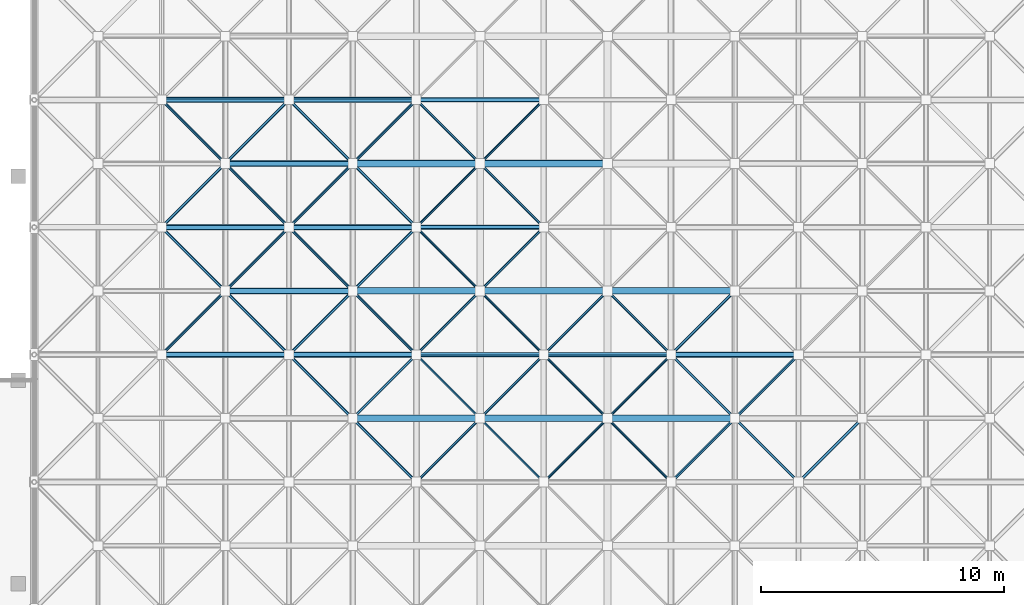
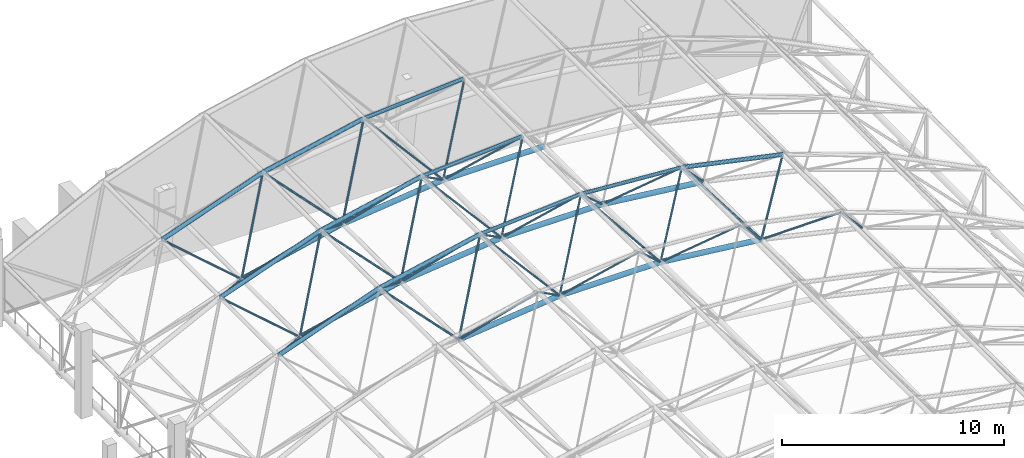
# One storey, part 19 of 100: 64 members.
"""IFC4 building model written with IfcOpenShell, lengths in metres."""

from ifc_helpers import new_model, si_unit, direction, frame, origin, origin_2d, place, context, subcontext, project, spatial, hollow_circle, extrude, material, material_profile, profile_set, type_object, element, save


model = new_model("IFC4")

# Units and contexts
model_context = context("Model", 3, precision=1e-05, world=origin(), true_north=direction((0.0, 1.0)))
body_context = subcontext(model_context, "Body", "Model", "MODEL_VIEW")
ifc_project = project(units=[si_unit("LENGTHUNIT", "METRE"), si_unit("AREAUNIT", "SQUARE_METRE"), si_unit("VOLUMEUNIT", "CUBIC_METRE"), si_unit("PLANEANGLEUNIT", "RADIAN"), si_unit("MASSUNIT", "GRAM", prefix="KILO")], contexts=[model_context])

# Site, building, storey
site_placement = place(None, origin())
site = spatial("IfcSite", under=ifc_project, at=site_placement, CompositionType="ELEMENT")
building_placement = place(site_placement, origin())
building = spatial("IfcBuilding", under=site, at=building_placement, Name="Kiln Court Media Centre", CompositionType="ELEMENT")
storey_placement = place(building_placement, frame((0.0, 0.0, 15.0)))
storey = spatial("IfcBuildingStorey", under=building, at=storey_placement, Name="L03", CompositionType="ELEMENT", Elevation=15.0)

# Members
ifc_material_1 = material(Name="Steel ASTM A500 Gr C", Category="steel")
ifc_material_profile_1 = material_profile(ifc_material_1, hollow_circle(Radius=0.05078125, WallThickness=0.0048828125, at=origin_2d()), Name="CHS 101.6x5.0")
ifc_profile_set_1 = profile_set([ifc_material_profile_1], Name="Steel ASTM A500 Gr C")
member_type_1 = type_object("IfcMemberType", Name="Steel ASTM A500 Gr C CHS 101.6x5.0 space frame brace", PredefinedType="BRACE", material=ifc_profile_set_1)
member_1_placement = place(storey_placement, frame((77.175048828125, 48.824951171875, 5.926513671875), z_axis=(-0.571963592053, -0.571963592053, 0.587975593653), x_axis=(0.707106781187, -0.707106781187, 0.0)))
element("IfcMember", 1, at=member_1_placement, inside=storey, type_object=member_type_1, Name="V1 roof diagonal 4-5 space frame brace", PredefinedType="BRACE", context=body_context, shape_type="SweptSolid", body=[
    extrude(hollow_circle(Radius=0.05078125, WallThickness=0.0048828125, at=origin_2d()), origin(), (0.0, 0.0, 1.0), 4.58935546875),
])
member_2_placement = place(storey_placement, frame((77.175048828125, 48.824951171875, 5.926513671875), z_axis=(0.544662450541, -0.544662450541, 0.637719083878), x_axis=(0.707106781187, 0.707106781187, 0.0)))
element("IfcMember", 2, at=member_2_placement, inside=storey, type_object=member_type_1, Name="V1 roof diagonal 4-5 space frame brace", PredefinedType="BRACE", context=body_context, shape_type="SweptSolid", body=[
    extrude(hollow_circle(Radius=0.05078125, WallThickness=0.0048828125, at=origin_2d()), origin(), (0.0, 0.0, 1.0), 4.819580078125),
])
member_3_placement = place(storey_placement, frame((77.175048828125, 48.824951171875, 5.926513671875), z_axis=(-0.571963592053, 0.571963592053, 0.587975593653), x_axis=(-0.707106781187, -0.707106781187, 0.0)))
element("IfcMember", 3, at=member_3_placement, inside=storey, type_object=member_type_1, Name="V1 roof diagonal 4-5 space frame brace", PredefinedType="BRACE", context=body_context, shape_type="SweptSolid", body=[
    extrude(hollow_circle(Radius=0.05078125, WallThickness=0.0048828125, at=origin_2d()), origin(), (0.0, 0.0, 1.0), 4.58935546875),
])
member_4_placement = place(storey_placement, frame((77.175048828125, 48.824951171875, 5.926513671875), z_axis=(0.544662450541, 0.544662450541, 0.637719083878), x_axis=(-0.707106781187, 0.707106781187, 0.0)))
element("IfcMember", 4, at=member_4_placement, inside=storey, type_object=member_type_1, Name="V1 roof diagonal 4-5 space frame brace", PredefinedType="BRACE", context=body_context, shape_type="SweptSolid", body=[
    extrude(hollow_circle(Radius=0.05078125, WallThickness=0.0048828125, at=origin_2d()), origin(), (0.0, 0.0, 1.0), 4.819580078125),
])
member_5_placement = place(storey_placement, frame((77.175048828125, 54.074951171875, 5.926513671875), z_axis=(-0.571963592053, -0.571963592053, 0.587975593653), x_axis=(0.707106781187, -0.707106781187, 0.0)))
element("IfcMember", 5, at=member_5_placement, inside=storey, type_object=member_type_1, Name="V1 roof diagonal 4-6 space frame brace", PredefinedType="BRACE", context=body_context, shape_type="SweptSolid", body=[
    extrude(hollow_circle(Radius=0.05078125, WallThickness=0.0048828125, at=origin_2d()), origin(), (0.0, 0.0, 1.0), 4.58935546875),
])
member_6_placement = place(storey_placement, frame((77.175048828125, 54.074951171875, 5.926513671875), z_axis=(0.544662450541, -0.544662450541, 0.637719083878), x_axis=(0.707106781187, 0.707106781187, 0.0)))
element("IfcMember", 6, at=member_6_placement, inside=storey, type_object=member_type_1, Name="V1 roof diagonal 4-6 space frame brace", PredefinedType="BRACE", context=body_context, shape_type="SweptSolid", body=[
    extrude(hollow_circle(Radius=0.05078125, WallThickness=0.0048828125, at=origin_2d()), origin(), (0.0, 0.0, 1.0), 4.819580078125),
])
member_7_placement = place(storey_placement, frame((77.175048828125, 54.074951171875, 5.926513671875), z_axis=(-0.571963592053, 0.571963592053, 0.587975593653), x_axis=(-0.707106781187, -0.707106781187, 0.0)))
element("IfcMember", 7, at=member_7_placement, inside=storey, type_object=member_type_1, Name="V1 roof diagonal 4-6 space frame brace", PredefinedType="BRACE", context=body_context, shape_type="SweptSolid", body=[
    extrude(hollow_circle(Radius=0.05078125, WallThickness=0.0048828125, at=origin_2d()), origin(), (0.0, 0.0, 1.0), 4.58935546875),
])
member_8_placement = place(storey_placement, frame((77.175048828125, 54.074951171875, 5.926513671875), z_axis=(0.544662450541, 0.544662450541, 0.637719083878), x_axis=(-0.707106781187, 0.707106781187, 0.0)))
element("IfcMember", 8, at=member_8_placement, inside=storey, type_object=member_type_1, Name="V1 roof diagonal 4-6 space frame brace", PredefinedType="BRACE", context=body_context, shape_type="SweptSolid", body=[
    extrude(hollow_circle(Radius=0.05078125, WallThickness=0.0048828125, at=origin_2d()), origin(), (0.0, 0.0, 1.0), 4.819580078125),
])
member_9_placement = place(storey_placement, frame((77.175048828125, 59.324951171875, 5.926513671875), z_axis=(-0.571963592053, -0.571963592053, 0.587975593653), x_axis=(0.707106781187, -0.707106781187, 0.0)))
element("IfcMember", 9, at=member_9_placement, inside=storey, type_object=member_type_1, Name="V1 roof diagonal 4-7 space frame brace", PredefinedType="BRACE", context=body_context, shape_type="SweptSolid", body=[
    extrude(hollow_circle(Radius=0.05078125, WallThickness=0.0048828125, at=origin_2d()), origin(), (0.0, 0.0, 1.0), 4.58935546875),
])
member_10_placement = place(storey_placement, frame((77.175048828125, 59.324951171875, 5.926513671875), z_axis=(0.544662450541, -0.544662450541, 0.637719083878), x_axis=(0.707106781187, 0.707106781187, 0.0)))
element("IfcMember", 10, at=member_10_placement, inside=storey, type_object=member_type_1, Name="V1 roof diagonal 4-7 space frame brace", PredefinedType="BRACE", context=body_context, shape_type="SweptSolid", body=[
    extrude(hollow_circle(Radius=0.05078125, WallThickness=0.0048828125, at=origin_2d()), origin(), (0.0, 0.0, 1.0), 4.819580078125),
])
member_11_placement = place(storey_placement, frame((77.175048828125, 59.324951171875, 5.926513671875), z_axis=(-0.571963592053, 0.571963592053, 0.587975593653), x_axis=(-0.707106781187, -0.707106781187, 0.0)))
element("IfcMember", 11, at=member_11_placement, inside=storey, type_object=member_type_1, Name="V1 roof diagonal 4-7 space frame brace", PredefinedType="BRACE", context=body_context, shape_type="SweptSolid", body=[
    extrude(hollow_circle(Radius=0.05078125, WallThickness=0.0048828125, at=origin_2d()), origin(), (0.0, 0.0, 1.0), 4.58935546875),
])
for number, where, z_axis, x_axis, name in (
    (12, (77.175048828125, 59.324951171875, 5.926513671875), (0.544662450541, 0.544662450541, 0.637719083878), (-0.707106781187, 0.707106781187, 0.0), "V1 roof diagonal 4-7 space frame brace"),
    (13, (82.425048828125, 48.824951171875, 5.926513671875), (-0.544662450541, -0.544662450541, 0.637719083878), (0.707106781187, -0.707106781187, 0.0), "V1 roof diagonal 5-5 space frame brace"),
):
    element("IfcMember", number, at=place(storey_placement, frame(where, z_axis=z_axis, x_axis=x_axis)), inside=storey, type_object=member_type_1, Name=name, PredefinedType="BRACE", context=body_context, shape_type="SweptSolid", body=[
        extrude(hollow_circle(Radius=0.05078125, WallThickness=0.0048828125, at=origin_2d()), origin(), (0.0, 0.0, 1.0), 4.819580078125),
    ])
member_12_placement = place(storey_placement, frame((82.425048828125, 48.824951171875, 5.926513671875), z_axis=(0.571963592053, -0.571963592053, 0.587975593653), x_axis=(0.707106781187, 0.707106781187, 0.0)))
element("IfcMember", 14, at=member_12_placement, inside=storey, type_object=member_type_1, Name="V1 roof diagonal 5-5 space frame brace", PredefinedType="BRACE", context=body_context, shape_type="SweptSolid", body=[
    extrude(hollow_circle(Radius=0.05078125, WallThickness=0.0048828125, at=origin_2d()), origin(), (0.0, 0.0, 1.0), 4.58935546875),
])
member_13_placement = place(storey_placement, frame((82.425048828125, 48.824951171875, 5.926513671875), z_axis=(-0.544662450541, 0.544662450541, 0.637719083878), x_axis=(-0.707106781187, -0.707106781187, 0.0)))
element("IfcMember", 15, at=member_13_placement, inside=storey, type_object=member_type_1, Name="V1 roof diagonal 5-5 space frame brace", PredefinedType="BRACE", context=body_context, shape_type="SweptSolid", body=[
    extrude(hollow_circle(Radius=0.05078125, WallThickness=0.0048828125, at=origin_2d()), origin(), (0.0, 0.0, 1.0), 4.819580078125),
])
member_14_placement = place(storey_placement, frame((82.425048828125, 48.824951171875, 5.926513671875), z_axis=(0.571963592053, 0.571963592053, 0.587975593653), x_axis=(-0.707106781187, 0.707106781187, 0.0)))
element("IfcMember", 16, at=member_14_placement, inside=storey, type_object=member_type_1, Name="V1 roof diagonal 5-5 space frame brace", PredefinedType="BRACE", context=body_context, shape_type="SweptSolid", body=[
    extrude(hollow_circle(Radius=0.05078125, WallThickness=0.0048828125, at=origin_2d()), origin(), (0.0, 0.0, 1.0), 4.58935546875),
])
member_15_placement = place(storey_placement, frame((82.425048828125, 54.074951171875, 5.926513671875), z_axis=(-0.544662450541, -0.544662450541, 0.637719083878), x_axis=(0.707106781187, -0.707106781187, 0.0)))
element("IfcMember", 17, at=member_15_placement, inside=storey, type_object=member_type_1, Name="V1 roof diagonal 5-6 space frame brace", PredefinedType="BRACE", context=body_context, shape_type="SweptSolid", body=[
    extrude(hollow_circle(Radius=0.05078125, WallThickness=0.0048828125, at=origin_2d()), origin(), (0.0, 0.0, 1.0), 4.819580078125),
])
member_16_placement = place(storey_placement, frame((82.425048828125, 54.074951171875, 5.926513671875), z_axis=(0.571963592053, -0.571963592053, 0.587975593653), x_axis=(0.707106781187, 0.707106781187, 0.0)))
element("IfcMember", 18, at=member_16_placement, inside=storey, type_object=member_type_1, Name="V1 roof diagonal 5-6 space frame brace", PredefinedType="BRACE", context=body_context, shape_type="SweptSolid", body=[
    extrude(hollow_circle(Radius=0.05078125, WallThickness=0.0048828125, at=origin_2d()), origin(), (0.0, 0.0, 1.0), 4.58935546875),
])
ifc_material_2 = material(Name="Steel ASTM A500 Gr C", Category="steel")
ifc_material_profile_2 = material_profile(ifc_material_2, hollow_circle(Radius=0.05712890625, WallThickness=0.0048828125, at=origin_2d()), Name="CHS 114.3x5.0")
ifc_profile_set_2 = profile_set([ifc_material_profile_2], Name="Steel ASTM A500 Gr C")
member_type_2 = type_object("IfcMemberType", Name="Steel ASTM A500 Gr C CHS 114.3x5.0 space frame brace", PredefinedType="BRACE", material=ifc_profile_set_2)
member_17_placement = place(storey_placement, frame((66.675048828125, 54.074951171875, 4.133544921875), z_axis=(-0.656133377529, -0.656133377529, 0.37279750775), x_axis=(0.707106781187, -0.707106781187, 0.0)))
element("IfcMember", 19, at=member_17_placement, inside=storey, type_object=member_type_2, Name="V1 roof diagonal 2-6 space frame brace", PredefinedType="BRACE", context=body_context, shape_type="SweptSolid", body=[
    extrude(hollow_circle(Radius=0.05712890625, WallThickness=0.0048828125, at=origin_2d()), origin(), (0.0, 0.0, 1.0), 4.000732421875),
])
member_18_placement = place(storey_placement, frame((66.675048828125, 54.074951171875, 4.133544921875), z_axis=(0.523804264708, -0.523804264708, 0.671757534046), x_axis=(0.707106781187, 0.707106781187, 0.0)))
element("IfcMember", 20, at=member_18_placement, inside=storey, type_object=member_type_2, Name="V1 roof diagonal 2-6 space frame brace", PredefinedType="BRACE", context=body_context, shape_type="SweptSolid", body=[
    extrude(hollow_circle(Radius=0.05712890625, WallThickness=0.0048828125, at=origin_2d()), origin(), (0.0, 0.0, 1.0), 5.011474609375),
])
member_19_placement = place(storey_placement, frame((66.675048828125, 54.074951171875, 4.133544921875), z_axis=(-0.656133377529, 0.656133377529, 0.37279750775), x_axis=(-0.707106781187, -0.707106781187, 0.0)))
element("IfcMember", 21, at=member_19_placement, inside=storey, type_object=member_type_2, Name="V1 roof diagonal 2-6 space frame brace", PredefinedType="BRACE", context=body_context, shape_type="SweptSolid", body=[
    extrude(hollow_circle(Radius=0.05712890625, WallThickness=0.0048828125, at=origin_2d()), origin(), (0.0, 0.0, 1.0), 4.000732421875),
])
member_20_placement = place(storey_placement, frame((66.675048828125, 54.074951171875, 4.133544921875), z_axis=(0.523804264708, 0.523804264708, 0.671757534046), x_axis=(-0.707106781187, 0.707106781187, 0.0)))
element("IfcMember", 22, at=member_20_placement, inside=storey, type_object=member_type_2, Name="V1 roof diagonal 2-6 space frame brace", PredefinedType="BRACE", context=body_context, shape_type="SweptSolid", body=[
    extrude(hollow_circle(Radius=0.05712890625, WallThickness=0.0048828125, at=origin_2d()), origin(), (0.0, 0.0, 1.0), 5.011474609375),
])
member_21_placement = place(storey_placement, frame((66.675048828125, 59.324951171875, 4.133544921875), z_axis=(-0.656133377529, -0.656133377529, 0.37279750775), x_axis=(0.707106781187, -0.707106781187, 0.0)))
element("IfcMember", 23, at=member_21_placement, inside=storey, type_object=member_type_2, Name="V1 roof diagonal 2-7 space frame brace", PredefinedType="BRACE", context=body_context, shape_type="SweptSolid", body=[
    extrude(hollow_circle(Radius=0.05712890625, WallThickness=0.0048828125, at=origin_2d()), origin(), (0.0, 0.0, 1.0), 4.000732421875),
])
member_22_placement = place(storey_placement, frame((66.675048828125, 59.324951171875, 4.133544921875), z_axis=(0.523804264708, -0.523804264708, 0.671757534046), x_axis=(0.707106781187, 0.707106781187, 0.0)))
element("IfcMember", 24, at=member_22_placement, inside=storey, type_object=member_type_2, Name="V1 roof diagonal 2-7 space frame brace", PredefinedType="BRACE", context=body_context, shape_type="SweptSolid", body=[
    extrude(hollow_circle(Radius=0.05712890625, WallThickness=0.0048828125, at=origin_2d()), origin(), (0.0, 0.0, 1.0), 5.011474609375),
])
member_23_placement = place(storey_placement, frame((66.675048828125, 59.324951171875, 4.133544921875), z_axis=(-0.656133377529, 0.656133377529, 0.37279750775), x_axis=(-0.707106781187, -0.707106781187, 0.0)))
element("IfcMember", 25, at=member_23_placement, inside=storey, type_object=member_type_2, Name="V1 roof diagonal 2-7 space frame brace", PredefinedType="BRACE", context=body_context, shape_type="SweptSolid", body=[
    extrude(hollow_circle(Radius=0.05712890625, WallThickness=0.0048828125, at=origin_2d()), origin(), (0.0, 0.0, 1.0), 4.000732421875),
])
member_24_placement = place(storey_placement, frame((66.675048828125, 59.324951171875, 4.133544921875), z_axis=(0.523804264708, 0.523804264708, 0.671757534046), x_axis=(-0.707106781187, 0.707106781187, 0.0)))
element("IfcMember", 26, at=member_24_placement, inside=storey, type_object=member_type_2, Name="V1 roof diagonal 2-7 space frame brace", PredefinedType="BRACE", context=body_context, shape_type="SweptSolid", body=[
    extrude(hollow_circle(Radius=0.05712890625, WallThickness=0.0048828125, at=origin_2d()), origin(), (0.0, 0.0, 1.0), 5.011474609375),
])
member_25_placement = place(storey_placement, frame((71.925048828125, 48.824951171875, 5.333984375), z_axis=(0.529121679325, -0.529121679325, 0.663370557785), x_axis=(0.707106781187, 0.707106781187, 0.0)))
element("IfcMember", 27, at=member_25_placement, inside=storey, type_object=member_type_2, Name="V1 roof diagonal 3-5 space frame brace", PredefinedType="BRACE", context=body_context, shape_type="SweptSolid", body=[
    extrude(hollow_circle(Radius=0.05712890625, WallThickness=0.0048828125, at=origin_2d()), origin(), (0.0, 0.0, 1.0), 4.9609375),
])
member_26_placement = place(storey_placement, frame((71.925048828125, 48.824951171875, 5.333984375), z_axis=(-0.61074803366, 0.61074803366, 0.503958012894), x_axis=(-0.707106781187, -0.707106781187, 0.0)))
element("IfcMember", 28, at=member_26_placement, inside=storey, type_object=member_type_2, Name="V1 roof diagonal 3-5 space frame brace", PredefinedType="BRACE", context=body_context, shape_type="SweptSolid", body=[
    extrude(hollow_circle(Radius=0.05712890625, WallThickness=0.0048828125, at=origin_2d()), origin(), (0.0, 0.0, 1.0), 4.298095703125),
])
member_27_placement = place(storey_placement, frame((71.925048828125, 48.824951171875, 5.333984375), z_axis=(0.529121679325, 0.529121679325, 0.663370557785), x_axis=(-0.707106781187, 0.707106781187, 0.0)))
element("IfcMember", 29, at=member_27_placement, inside=storey, type_object=member_type_2, Name="V1 roof diagonal 3-5 space frame brace", PredefinedType="BRACE", context=body_context, shape_type="SweptSolid", body=[
    extrude(hollow_circle(Radius=0.05712890625, WallThickness=0.0048828125, at=origin_2d()), origin(), (0.0, 0.0, 1.0), 4.9609375),
])
member_28_placement = place(storey_placement, frame((71.925048828125, 54.074951171875, 5.333984375), z_axis=(-0.61074803366, -0.61074803366, 0.503958012894), x_axis=(0.707106781187, -0.707106781187, 0.0)))
element("IfcMember", 30, at=member_28_placement, inside=storey, type_object=member_type_2, Name="V1 roof diagonal 3-6 space frame brace", PredefinedType="BRACE", context=body_context, shape_type="SweptSolid", body=[
    extrude(hollow_circle(Radius=0.05712890625, WallThickness=0.0048828125, at=origin_2d()), origin(), (0.0, 0.0, 1.0), 4.298095703125),
])
member_29_placement = place(storey_placement, frame((71.925048828125, 54.074951171875, 5.333984375), z_axis=(0.529121679325, -0.529121679325, 0.663370557785), x_axis=(0.707106781187, 0.707106781187, 0.0)))
element("IfcMember", 31, at=member_29_placement, inside=storey, type_object=member_type_2, Name="V1 roof diagonal 3-6 space frame brace", PredefinedType="BRACE", context=body_context, shape_type="SweptSolid", body=[
    extrude(hollow_circle(Radius=0.05712890625, WallThickness=0.0048828125, at=origin_2d()), origin(), (0.0, 0.0, 1.0), 4.9609375),
])
member_30_placement = place(storey_placement, frame((71.925048828125, 54.074951171875, 5.333984375), z_axis=(-0.61074803366, 0.61074803366, 0.503958012894), x_axis=(-0.707106781187, -0.707106781187, 0.0)))
element("IfcMember", 32, at=member_30_placement, inside=storey, type_object=member_type_2, Name="V1 roof diagonal 3-6 space frame brace", PredefinedType="BRACE", context=body_context, shape_type="SweptSolid", body=[
    extrude(hollow_circle(Radius=0.05712890625, WallThickness=0.0048828125, at=origin_2d()), origin(), (0.0, 0.0, 1.0), 4.298095703125),
])
member_31_placement = place(storey_placement, frame((71.925048828125, 54.074951171875, 5.333984375), z_axis=(0.529121679325, 0.529121679325, 0.663370557785), x_axis=(-0.707106781187, 0.707106781187, 0.0)))
element("IfcMember", 33, at=member_31_placement, inside=storey, type_object=member_type_2, Name="V1 roof diagonal 3-6 space frame brace", PredefinedType="BRACE", context=body_context, shape_type="SweptSolid", body=[
    extrude(hollow_circle(Radius=0.05712890625, WallThickness=0.0048828125, at=origin_2d()), origin(), (0.0, 0.0, 1.0), 4.9609375),
])
member_32_placement = place(storey_placement, frame((71.925048828125, 59.324951171875, 5.333984375), z_axis=(-0.61074803366, -0.61074803366, 0.503958012894), x_axis=(0.707106781187, -0.707106781187, 0.0)))
element("IfcMember", 34, at=member_32_placement, inside=storey, type_object=member_type_2, Name="V1 roof diagonal 3-7 space frame brace", PredefinedType="BRACE", context=body_context, shape_type="SweptSolid", body=[
    extrude(hollow_circle(Radius=0.05712890625, WallThickness=0.0048828125, at=origin_2d()), origin(), (0.0, 0.0, 1.0), 4.298095703125),
])
member_33_placement = place(storey_placement, frame((71.925048828125, 59.324951171875, 5.333984375), z_axis=(0.529121679325, -0.529121679325, 0.663370557785), x_axis=(0.707106781187, 0.707106781187, 0.0)))
element("IfcMember", 35, at=member_33_placement, inside=storey, type_object=member_type_2, Name="V1 roof diagonal 3-7 space frame brace", PredefinedType="BRACE", context=body_context, shape_type="SweptSolid", body=[
    extrude(hollow_circle(Radius=0.05712890625, WallThickness=0.0048828125, at=origin_2d()), origin(), (0.0, 0.0, 1.0), 4.9609375),
])
member_34_placement = place(storey_placement, frame((71.925048828125, 59.324951171875, 5.333984375), z_axis=(-0.61074803366, 0.61074803366, 0.503958012894), x_axis=(-0.707106781187, -0.707106781187, 0.0)))
element("IfcMember", 36, at=member_34_placement, inside=storey, type_object=member_type_2, Name="V1 roof diagonal 3-7 space frame brace", PredefinedType="BRACE", context=body_context, shape_type="SweptSolid", body=[
    extrude(hollow_circle(Radius=0.05712890625, WallThickness=0.0048828125, at=origin_2d()), origin(), (0.0, 0.0, 1.0), 4.298095703125),
])
for number, where, z_axis, x_axis, name in (
    (37, (71.925048828125, 59.324951171875, 5.333984375), (0.529121679325, 0.529121679325, 0.663370557785), (-0.707106781187, 0.707106781187, 0.0), "V1 roof diagonal 3-7 space frame brace"),
    (38, (87.675048828125, 48.824951171875, 5.333984375), (-0.529121679325, -0.529121679325, 0.663370557785), (0.707106781187, -0.707106781187, 0.0), "V1 roof diagonal 6-5 space frame brace"),
):
    element("IfcMember", number, at=place(storey_placement, frame(where, z_axis=z_axis, x_axis=x_axis)), inside=storey, type_object=member_type_2, Name=name, PredefinedType="BRACE", context=body_context, shape_type="SweptSolid", body=[
        extrude(hollow_circle(Radius=0.05712890625, WallThickness=0.0048828125, at=origin_2d()), origin(), (0.0, 0.0, 1.0), 4.9609375),
    ])
member_35_placement = place(storey_placement, frame((87.675048828125, 48.824951171875, 5.333984375), z_axis=(0.61074803366, -0.61074803366, 0.503958012894), x_axis=(0.707106781187, 0.707106781187, 0.0)))
element("IfcMember", 39, at=member_35_placement, inside=storey, type_object=member_type_2, Name="V1 roof diagonal 6-5 space frame brace", PredefinedType="BRACE", context=body_context, shape_type="SweptSolid", body=[
    extrude(hollow_circle(Radius=0.05712890625, WallThickness=0.0048828125, at=origin_2d()), origin(), (0.0, 0.0, 1.0), 4.298095703125),
])
member_36_placement = place(storey_placement, frame((87.675048828125, 48.824951171875, 5.333984375), z_axis=(-0.529121679325, 0.529121679325, 0.663370557785), x_axis=(-0.707106781187, -0.707106781187, 0.0)))
element("IfcMember", 40, at=member_36_placement, inside=storey, type_object=member_type_2, Name="V1 roof diagonal 6-5 space frame brace", PredefinedType="BRACE", context=body_context, shape_type="SweptSolid", body=[
    extrude(hollow_circle(Radius=0.05712890625, WallThickness=0.0048828125, at=origin_2d()), origin(), (0.0, 0.0, 1.0), 4.9609375),
])
member_37_placement = place(storey_placement, frame((87.675048828125, 48.824951171875, 5.333984375), z_axis=(0.61074803366, 0.61074803366, 0.503958012894), x_axis=(-0.707106781187, 0.707106781187, 0.0)))
element("IfcMember", 41, at=member_37_placement, inside=storey, type_object=member_type_2, Name="V1 roof diagonal 6-5 space frame brace", PredefinedType="BRACE", context=body_context, shape_type="SweptSolid", body=[
    extrude(hollow_circle(Radius=0.05712890625, WallThickness=0.0048828125, at=origin_2d()), origin(), (0.0, 0.0, 1.0), 4.298095703125),
])
member_38_placement = place(storey_placement, frame((87.675048828125, 54.074951171875, 5.333984375), z_axis=(-0.529121679325, -0.529121679325, 0.663370557785), x_axis=(0.707106781187, -0.707106781187, 0.0)))
element("IfcMember", 42, at=member_38_placement, inside=storey, type_object=member_type_2, Name="V1 roof diagonal 6-6 space frame brace", PredefinedType="BRACE", context=body_context, shape_type="SweptSolid", body=[
    extrude(hollow_circle(Radius=0.05712890625, WallThickness=0.0048828125, at=origin_2d()), origin(), (0.0, 0.0, 1.0), 4.9609375),
])
member_39_placement = place(storey_placement, frame((92.925048828125, 48.824951171875, 4.133544921875), z_axis=(-0.523804264708, -0.523804264708, 0.671757534046), x_axis=(0.707106781187, -0.707106781187, 0.0)))
element("IfcMember", 43, at=member_39_placement, inside=storey, type_object=member_type_2, Name="V1 roof diagonal 7-5 space frame brace", PredefinedType="BRACE", context=body_context, shape_type="SweptSolid", body=[
    extrude(hollow_circle(Radius=0.05712890625, WallThickness=0.0048828125, at=origin_2d()), origin(), (0.0, 0.0, 1.0), 5.011474609375),
])
ifc_material_3 = material(Name="Steel ASTM A500 Gr C", Category="steel")
ifc_material_profile_3 = material_profile(ifc_material_3, hollow_circle(Radius=0.096923828125, WallThickness=0.008056640625, at=origin_2d()), Name="CHS 193.7x8.0")
ifc_profile_set_3 = profile_set([ifc_material_profile_3], Name="Steel ASTM A500 Gr C")
member_type_3 = type_object("IfcMemberType", Name="Steel ASTM A500 Gr C CHS 193.7x8.0 space frame chord", PredefinedType="CHORD", material=ifc_profile_set_3)
for number, where, z_axis, x_axis, name in (
    (44, (74.550048828125, 51.449951171875, 8.625), (0.997458699831, 0.0, 0.071247049988), (0.0, 1.0, 0.0), "V1 roof top chord across line 6 space frame chord"),
    (45, (79.800048828125, 51.449951171875, 9.0), (0.997458699831, 0.0, -0.071247049988), (0.0, 1.0, 0.0), "V1 roof top chord across line 6 space frame chord"),
    (46, (74.550048828125, 56.699951171875, 8.625), (0.997458699831, 0.0, 0.071247049988), (0.0, 1.0, 0.0), "V1 roof top chord across line 7 space frame chord"),
    (47, (74.550048828125, 61.949951171875, 8.625), (0.997458699831, 0.0, 0.071247049988), (0.0, 1.0, 0.0), "V1 roof top chord across line 8 space frame chord"),
):
    element("IfcMember", number, at=place(storey_placement, frame(where, z_axis=z_axis, x_axis=x_axis)), inside=storey, type_object=member_type_3, Name=name, PredefinedType="CHORD", context=body_context, shape_type="SweptSolid", body=[
        extrude(hollow_circle(Radius=0.096923828125, WallThickness=0.008056640625, at=origin_2d()), origin(), (0.0, 0.0, 1.0), 5.263427734375),
    ])
ifc_material_4 = material(Name="Steel ASTM A500 Gr C", Category="steel")
ifc_material_profile_4 = material_profile(ifc_material_4, hollow_circle(Radius=0.109619140625, WallThickness=0.008056640625, at=origin_2d()), Name="CHS 219.1x8.0")
ifc_profile_set_4 = profile_set([ifc_material_profile_4], Name="Steel ASTM A500 Gr C")
member_type_4 = type_object("IfcMemberType", Name="Steel ASTM A500 Gr C CHS 219.1x8.0 space frame chord", PredefinedType="CHORD", material=ifc_profile_set_4)
member_40_placement = place(storey_placement, frame((64.050048828125, 51.449951171875, 5.625), z_axis=(0.941741911595, 0.0, 0.336336396998), x_axis=(0.0, 1.0, 0.0)))
element("IfcMember", 48, at=member_40_placement, inside=storey, type_object=member_type_4, Name="V1 roof top chord across line 6 space frame chord", PredefinedType="CHORD", context=body_context, shape_type="SweptSolid", body=[
    extrude(hollow_circle(Radius=0.109619140625, WallThickness=0.008056640625, at=origin_2d()), origin(), (0.0, 0.0, 1.0), 5.57470703125),
])
for number, where, z_axis, x_axis, name in (
    (49, (69.300048828125, 51.449951171875, 7.5), (0.977802414077, 0.0, 0.209529088731), (0.0, 1.0, 0.0), "V1 roof top chord across line 6 space frame chord"),
    (50, (85.050048828125, 51.449951171875, 8.625), (0.977802414077, 0.0, -0.209529088731), (0.0, 1.0, 0.0), "V1 roof top chord across line 6 space frame chord"),
):
    element("IfcMember", number, at=place(storey_placement, frame(where, z_axis=z_axis, x_axis=x_axis)), inside=storey, type_object=member_type_4, Name=name, PredefinedType="CHORD", context=body_context, shape_type="SweptSolid", body=[
        extrude(hollow_circle(Radius=0.109619140625, WallThickness=0.008056640625, at=origin_2d()), origin(), (0.0, 0.0, 1.0), 5.369140625),
    ])
member_41_placement = place(storey_placement, frame((64.050048828125, 56.699951171875, 5.625), z_axis=(0.941741911595, 0.0, 0.336336396998), x_axis=(0.0, 1.0, 0.0)))
element("IfcMember", 51, at=member_41_placement, inside=storey, type_object=member_type_4, Name="V1 roof top chord across line 7 space frame chord", PredefinedType="CHORD", context=body_context, shape_type="SweptSolid", body=[
    extrude(hollow_circle(Radius=0.109619140625, WallThickness=0.008056640625, at=origin_2d()), origin(), (0.0, 0.0, 1.0), 5.57470703125),
])
member_42_placement = place(storey_placement, frame((69.300048828125, 56.699951171875, 7.5), z_axis=(0.977802414077, 0.0, 0.209529088731), x_axis=(0.0, 1.0, 0.0)))
element("IfcMember", 52, at=member_42_placement, inside=storey, type_object=member_type_4, Name="V1 roof top chord across line 7 space frame chord", PredefinedType="CHORD", context=body_context, shape_type="SweptSolid", body=[
    extrude(hollow_circle(Radius=0.109619140625, WallThickness=0.008056640625, at=origin_2d()), origin(), (0.0, 0.0, 1.0), 5.369140625),
])
member_43_placement = place(storey_placement, frame((64.050048828125, 61.949951171875, 5.625), z_axis=(0.941741911595, 0.0, 0.336336396998), x_axis=(0.0, 1.0, 0.0)))
element("IfcMember", 53, at=member_43_placement, inside=storey, type_object=member_type_4, Name="V1 roof top chord across line 8 space frame chord", PredefinedType="CHORD", context=body_context, shape_type="SweptSolid", body=[
    extrude(hollow_circle(Radius=0.109619140625, WallThickness=0.008056640625, at=origin_2d()), origin(), (0.0, 0.0, 1.0), 5.57470703125),
])
member_44_placement = place(storey_placement, frame((69.300048828125, 61.949951171875, 7.5), z_axis=(0.977802414077, 0.0, 0.209529088731), x_axis=(0.0, 1.0, 0.0)))
element("IfcMember", 54, at=member_44_placement, inside=storey, type_object=member_type_4, Name="V1 roof top chord across line 8 space frame chord", PredefinedType="CHORD", context=body_context, shape_type="SweptSolid", body=[
    extrude(hollow_circle(Radius=0.109619140625, WallThickness=0.008056640625, at=origin_2d()), origin(), (0.0, 0.0, 1.0), 5.369140625),
])
ifc_material_5 = material(Name="Steel ASTM A500 Gr C", Category="steel")
ifc_material_profile_5 = material_profile(ifc_material_5, hollow_circle(Radius=0.122314453125, WallThickness=0.010009765625, at=origin_2d()), Name="CHS 244.5x10.0")
ifc_profile_set_5 = profile_set([ifc_material_profile_5], Name="Steel ASTM A500 Gr C")
member_type_5 = type_object("IfcMemberType", Name="Steel ASTM A500 Gr C CHS 244.5x10.0 space frame chord", PredefinedType="CHORD", material=ifc_profile_set_5)
for number, where, z_axis, x_axis, name in (
    (55, (66.675048828125, 54.074951171875, 4.133544921875), (0.97484077825, 0.0, 0.22290234871), (0.0, 1.0, 0.0), "V1 roof bottom chord across line 6 space frame chord"),
    (56, (66.675048828125, 59.324951171875, 4.133544921875), (0.97484077825, 0.0, 0.22290234871), (0.0, 1.0, 0.0), "V1 roof bottom chord across line 7 space frame chord"),
):
    element("IfcMember", number, at=place(storey_placement, frame(where, z_axis=z_axis, x_axis=x_axis)), inside=storey, type_object=member_type_5, Name=name, PredefinedType="CHORD", context=body_context, shape_type="SweptSolid", body=[
        extrude(hollow_circle(Radius=0.122314453125, WallThickness=0.010009765625, at=origin_2d()), origin(), (0.0, 0.0, 1.0), 5.385498046875),
    ])
ifc_material_6 = material(Name="Steel ASTM A500 Gr C", Category="steel")
ifc_material_profile_6 = material_profile(ifc_material_6, hollow_circle(Radius=0.136474609375, WallThickness=0.010009765625, at=origin_2d()), Name="CHS 273.0x10.0")
ifc_profile_set_6 = profile_set([ifc_material_profile_6], Name="Steel ASTM A500 Gr C")
member_type_6 = type_object("IfcMemberType", Name="Steel ASTM A500 Gr C CHS 273.0x10.0 space frame chord", PredefinedType="CHORD", material=ifc_profile_set_6)
member_45_placement = place(storey_placement, frame((71.925048828125, 48.824951171875, 5.333984375), z_axis=(0.993691210277, 0.0, 0.112150696026), x_axis=(0.0, 1.0, 0.0)))
element("IfcMember", 57, at=member_45_placement, inside=storey, type_object=member_type_6, Name="V1 roof bottom chord across line 5 space frame chord", PredefinedType="CHORD", context=body_context, shape_type="SweptSolid", body=[
    extrude(hollow_circle(Radius=0.136474609375, WallThickness=0.010009765625, at=origin_2d()), origin(), (0.0, 0.0, 1.0), 5.283447265625),
])
member_46_placement = place(storey_placement, frame((77.175048828125, 48.824951171875, 5.926513671875), z_axis=(1.0, 0.0, 0.0), x_axis=(0.0, 1.0, 0.0)))
element("IfcMember", 58, at=member_46_placement, inside=storey, type_object=member_type_6, Name="V1 roof bottom chord across line 5 space frame chord", PredefinedType="CHORD", context=body_context, shape_type="SweptSolid", body=[
    extrude(hollow_circle(Radius=0.136474609375, WallThickness=0.010009765625, at=origin_2d()), origin(), (0.0, 0.0, 1.0), 5.25),
])
for number, where, z_axis, x_axis, name in (
    (59, (82.425048828125, 48.824951171875, 5.926513671875), (0.993691210277, 0.0, -0.112150696026), (0.0, 1.0, 0.0), "V1 roof bottom chord across line 5 space frame chord"),
    (60, (71.925048828125, 54.074951171875, 5.333984375), (0.993691210277, 0.0, 0.112150696026), (0.0, 1.0, 0.0), "V1 roof bottom chord across line 6 space frame chord"),
):
    element("IfcMember", number, at=place(storey_placement, frame(where, z_axis=z_axis, x_axis=x_axis)), inside=storey, type_object=member_type_6, Name=name, PredefinedType="CHORD", context=body_context, shape_type="SweptSolid", body=[
        extrude(hollow_circle(Radius=0.136474609375, WallThickness=0.010009765625, at=origin_2d()), origin(), (0.0, 0.0, 1.0), 5.283447265625),
    ])
member_47_placement = place(storey_placement, frame((77.175048828125, 54.074951171875, 5.926513671875), z_axis=(1.0, 0.0, 0.0), x_axis=(0.0, 1.0, 0.0)))
element("IfcMember", 61, at=member_47_placement, inside=storey, type_object=member_type_6, Name="V1 roof bottom chord across line 6 space frame chord", PredefinedType="CHORD", context=body_context, shape_type="SweptSolid", body=[
    extrude(hollow_circle(Radius=0.136474609375, WallThickness=0.010009765625, at=origin_2d()), origin(), (0.0, 0.0, 1.0), 5.25),
])
for number, where, z_axis, x_axis, name in (
    (62, (82.425048828125, 54.074951171875, 5.926513671875), (0.993691210277, 0.0, -0.112150696026), (0.0, 1.0, 0.0), "V1 roof bottom chord across line 6 space frame chord"),
    (63, (71.925048828125, 59.324951171875, 5.333984375), (0.993691210277, 0.0, 0.112150696026), (0.0, 1.0, 0.0), "V1 roof bottom chord across line 7 space frame chord"),
):
    element("IfcMember", number, at=place(storey_placement, frame(where, z_axis=z_axis, x_axis=x_axis)), inside=storey, type_object=member_type_6, Name=name, PredefinedType="CHORD", context=body_context, shape_type="SweptSolid", body=[
        extrude(hollow_circle(Radius=0.136474609375, WallThickness=0.010009765625, at=origin_2d()), origin(), (0.0, 0.0, 1.0), 5.283447265625),
    ])
member_48_placement = place(storey_placement, frame((77.175048828125, 59.324951171875, 5.926513671875), z_axis=(1.0, 0.0, 0.0), x_axis=(0.0, 1.0, 0.0)))
element("IfcMember", 64, at=member_48_placement, inside=storey, type_object=member_type_6, Name="V1 roof bottom chord across line 7 space frame chord", PredefinedType="CHORD", context=body_context, shape_type="SweptSolid", body=[
    extrude(hollow_circle(Radius=0.136474609375, WallThickness=0.010009765625, at=origin_2d()), origin(), (0.0, 0.0, 1.0), 5.25),
])

save(model, "model.ifc")
